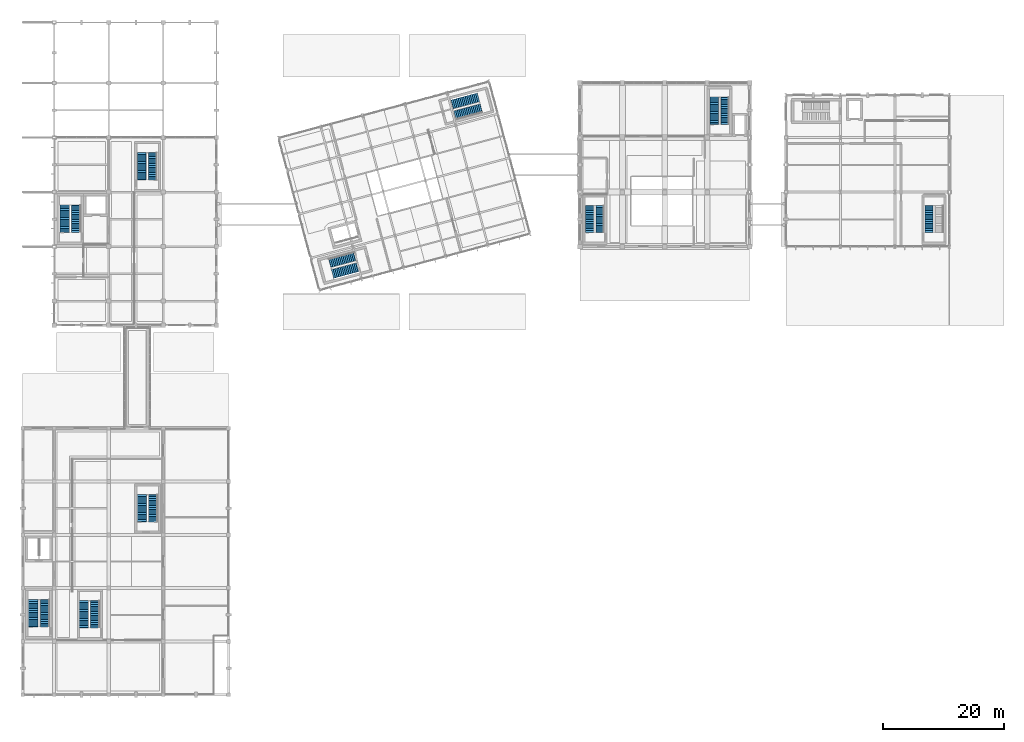
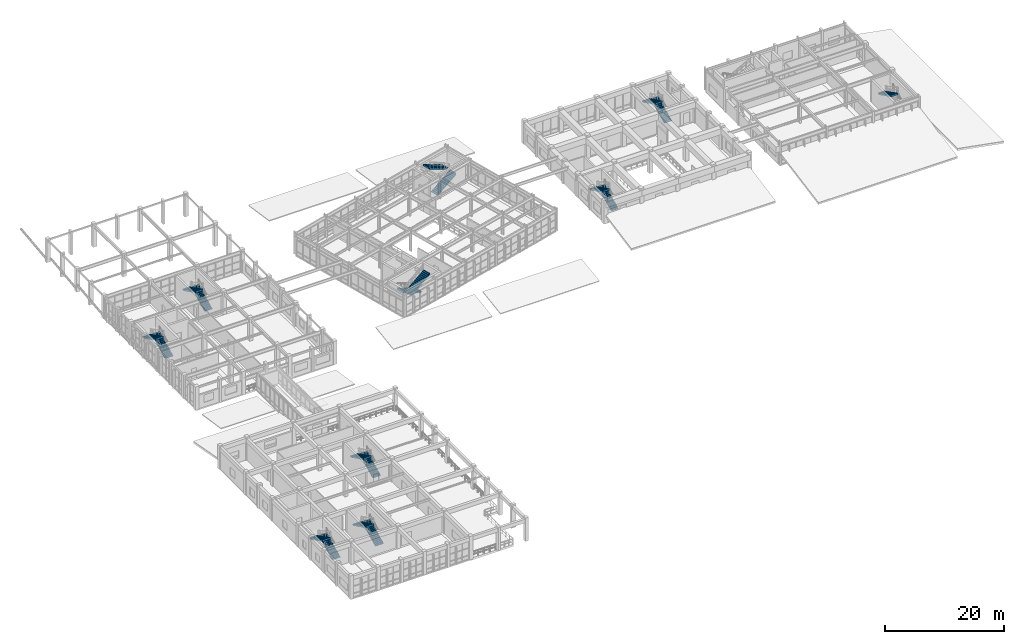
# One storey, part 87 of 104: 19 stair flights, 10 elements without a shape of their own.
"""IFC4 building model written with IfcOpenShell, lengths in metres."""

from ifc_helpers import new_model, si_unit, direction, frame, origin, place, context, subcontext, project, spatial, polyline, outline, extrude, material, type_object, element, aggregate, save


model = new_model("IFC4")

# Units and contexts
model_context = context("Model", 3, precision=1e-05, world=origin(), true_north=direction((0.0, 1.0)))
body_context = subcontext(model_context, "Body", "Model", "MODEL_VIEW")
ifc_project = project(units=[si_unit("LENGTHUNIT", "METRE"), si_unit("AREAUNIT", "SQUARE_METRE"), si_unit("VOLUMEUNIT", "CUBIC_METRE"), si_unit("PLANEANGLEUNIT", "RADIAN"), si_unit("MASSUNIT", "GRAM", prefix="KILO")], contexts=[model_context])

# Site, building, storey
site_placement = place(None, origin())
site = spatial("IfcSite", under=ifc_project, at=site_placement, CompositionType="ELEMENT")
building_placement = place(site_placement, origin())
building = spatial("IfcBuilding", under=site, at=building_placement, Name="Ventoquebrada Cableway Terminal", CompositionType="ELEMENT")
storey_placement = place(building_placement, frame((0.0, 0.0, 4.800048828125)))
storey = spatial("IfcBuildingStorey", under=building, at=storey_placement, Name="L01", CompositionType="ELEMENT", Elevation=4.800048828125)

# Stair, stair flights
ifc_material = material(Name="Concrete C40/50", Category="concrete")
stair_type_1 = type_object("IfcStairType", Name="ST-T03", PredefinedType="HALF_TURN_STAIR", material=ifc_material)
stair_1_placement = place(storey_placement, origin())
stair_1 = element("IfcStair", 1, at=stair_1_placement, inside=storey, type_object=stair_type_1, Name="Protected half-turn stair ST-05", PredefinedType="HALF_TURN_STAIR")
stair_flight_type_1 = type_object("IfcStairFlightType", Name="SF-T03", PredefinedType="STRAIGHT", material=ifc_material)
stair_flight_1_placement = place(storey_placement, frame((6.675048828125, 14.199951171875, 0.0), z_axis=(0.0, 0.0, 1.0), x_axis=(0.0, 1.0, 0.0)))
stair_flight_1 = element("IfcStairFlight", 2, at=stair_flight_1_placement, type_object=stair_flight_type_1, Name="Lower stair flight SF-009", NumberOfRisers=16, NumberOfTreads=15, PredefinedType="STRAIGHT", RiserHeight=0.15, TreadLength=0.3, context=body_context, shape_type="SweptSolid", body=[
    extrude(outline(polyline([(0.0, 0.0), (0.0, 0.14990234375), (0.296630859375, 0.14990234375), (0.296630859375, 0.300048828125), (0.59326171875, 0.300048828125), (0.59326171875, 0.449951171875), (0.889892578125, 0.449951171875), (0.889892578125, 0.60009765625), (1.186767578125, 0.60009765625), (1.186767578125, 0.75), (1.4833984375, 0.75), (1.4833984375, 0.89990234375), (1.780029296875, 0.89990234375), (1.780029296875, 1.050048828125), (2.07666015625, 1.050048828125), (2.07666015625, 1.199951171875), (2.373291015625, 1.199951171875), (2.373291015625, 1.35009765625), (2.669921875, 1.35009765625), (2.669921875, 1.5), (2.966552734375, 1.5), (2.966552734375, 1.64990234375), (3.263427734375, 1.64990234375), (3.263427734375, 1.800048828125), (3.56005859375, 1.800048828125), (3.56005859375, 1.949951171875), (3.856689453125, 1.949951171875), (3.856689453125, 2.10009765625), (4.1533203125, 2.10009765625), (4.1533203125, 2.25), (4.449951171875, 2.25), (4.449951171875, 2.39990234375), (4.5, 2.39990234375), (4.5, 2.0263671875), (0.447021484375, 0.0), (0.0, 0.0)])), frame((0.0, 0.77490234375, 0.0), z_axis=(0.0, -1.0, 0.0), x_axis=(1.0, 0.0, 0.0)), (0.0, 0.0, 1.0), 1.550048828125),
])
stair_flight_2_placement = place(storey_placement, frame((4.764892578125, 18.699951171875, 2.39990234375), z_axis=(0.0, 0.0, 1.0), x_axis=(0.0, -1.0, 0.0)))
stair_flight_2 = element("IfcStairFlight", 3, at=stair_flight_2_placement, type_object=stair_flight_type_1, Name="Upper stair flight SF-010", NumberOfRisers=16, NumberOfTreads=15, PredefinedType="STRAIGHT", RiserHeight=0.15, TreadLength=0.3, context=body_context, shape_type="SweptSolid", body=[
    extrude(outline(polyline([(0.0, 0.0), (0.0, 0.14990234375), (0.296630859375, 0.14990234375), (0.296630859375, 0.300048828125), (0.59326171875, 0.300048828125), (0.59326171875, 0.449951171875), (0.889892578125, 0.449951171875), (0.889892578125, 0.60009765625), (1.186767578125, 0.60009765625), (1.186767578125, 0.75), (1.4833984375, 0.75), (1.4833984375, 0.89990234375), (1.780029296875, 0.89990234375), (1.780029296875, 1.050048828125), (2.07666015625, 1.050048828125), (2.07666015625, 1.199951171875), (2.373291015625, 1.199951171875), (2.373291015625, 1.35009765625), (2.669921875, 1.35009765625), (2.669921875, 1.5), (2.966552734375, 1.5), (2.966552734375, 1.64990234375), (3.263427734375, 1.64990234375), (3.263427734375, 1.800048828125), (3.56005859375, 1.800048828125), (3.56005859375, 1.949951171875), (3.856689453125, 1.949951171875), (3.856689453125, 2.10009765625), (4.1533203125, 2.10009765625), (4.1533203125, 2.25), (4.449951171875, 2.25), (4.449951171875, 2.39990234375), (4.5, 2.39990234375), (4.5, 2.0263671875), (0.447021484375, 0.0), (0.0, 0.0)])), frame((0.0, 0.77490234375, 0.0), z_axis=(0.0, -1.0, 0.0), x_axis=(1.0, 0.0, 0.0)), (0.0, 0.0, 1.0), 1.550048828125),
])
aggregate(stair_1, [stair_flight_1, stair_flight_2])

stair_2_placement = place(storey_placement, origin())
stair_2 = element("IfcStair", 4, at=stair_2_placement, inside=storey, type_object=stair_type_1, Name="Protected half-turn stair ST-10", PredefinedType="HALF_TURN_STAIR")
stair_flight_3_placement = place(storey_placement, frame((14.97509765625, 14.050048828125, 0.0), z_axis=(0.0, 0.0, 1.0), x_axis=(0.0, 1.0, 0.0)))
stair_flight_3 = element("IfcStairFlight", 5, at=stair_flight_3_placement, type_object=stair_flight_type_1, Name="Lower stair flight SF-019", NumberOfRisers=16, NumberOfTreads=15, PredefinedType="STRAIGHT", RiserHeight=0.15, TreadLength=0.3, context=body_context, shape_type="SweptSolid", body=[
    extrude(outline(polyline([(0.0, 0.0), (0.0, 0.14990234375), (0.296630859375, 0.14990234375), (0.296630859375, 0.300048828125), (0.59326171875, 0.300048828125), (0.59326171875, 0.449951171875), (0.889892578125, 0.449951171875), (0.889892578125, 0.60009765625), (1.186767578125, 0.60009765625), (1.186767578125, 0.75), (1.4833984375, 0.75), (1.4833984375, 0.89990234375), (1.780029296875, 0.89990234375), (1.780029296875, 1.050048828125), (2.07666015625, 1.050048828125), (2.07666015625, 1.199951171875), (2.373291015625, 1.199951171875), (2.373291015625, 1.35009765625), (2.669921875, 1.35009765625), (2.669921875, 1.5), (2.966552734375, 1.5), (2.966552734375, 1.64990234375), (3.263427734375, 1.64990234375), (3.263427734375, 1.800048828125), (3.56005859375, 1.800048828125), (3.56005859375, 1.949951171875), (3.856689453125, 1.949951171875), (3.856689453125, 2.10009765625), (4.1533203125, 2.10009765625), (4.1533203125, 2.25), (4.449951171875, 2.25), (4.449951171875, 2.39990234375), (4.5, 2.39990234375), (4.5, 2.0263671875), (0.447021484375, 0.0), (0.0, 0.0)])), frame((0.0, 0.77490234375, 0.0), z_axis=(0.0, -1.0, 0.0), x_axis=(1.0, 0.0, 0.0)), (0.0, 0.0, 1.0), 1.550048828125),
])
stair_flight_4_placement = place(storey_placement, frame((13.06494140625, 18.550048828125, 2.39990234375), z_axis=(0.0, 0.0, 1.0), x_axis=(0.0, -1.0, 0.0)))
stair_flight_4 = element("IfcStairFlight", 6, at=stair_flight_4_placement, type_object=stair_flight_type_1, Name="Upper stair flight SF-020", NumberOfRisers=16, NumberOfTreads=15, PredefinedType="STRAIGHT", RiserHeight=0.15, TreadLength=0.3, context=body_context, shape_type="SweptSolid", body=[
    extrude(outline(polyline([(0.0, 0.0), (0.0, 0.14990234375), (0.296630859375, 0.14990234375), (0.296630859375, 0.300048828125), (0.59326171875, 0.300048828125), (0.59326171875, 0.449951171875), (0.889892578125, 0.449951171875), (0.889892578125, 0.60009765625), (1.186767578125, 0.60009765625), (1.186767578125, 0.75), (1.4833984375, 0.75), (1.4833984375, 0.89990234375), (1.780029296875, 0.89990234375), (1.780029296875, 1.050048828125), (2.07666015625, 1.050048828125), (2.07666015625, 1.199951171875), (2.373291015625, 1.199951171875), (2.373291015625, 1.35009765625), (2.669921875, 1.35009765625), (2.669921875, 1.5), (2.966552734375, 1.5), (2.966552734375, 1.64990234375), (3.263427734375, 1.64990234375), (3.263427734375, 1.800048828125), (3.56005859375, 1.800048828125), (3.56005859375, 1.949951171875), (3.856689453125, 1.949951171875), (3.856689453125, 2.10009765625), (4.1533203125, 2.10009765625), (4.1533203125, 2.25), (4.449951171875, 2.25), (4.449951171875, 2.39990234375), (4.5, 2.39990234375), (4.5, 2.0263671875), (0.447021484375, 0.0), (0.0, 0.0)])), frame((0.0, 0.77490234375, 0.0), z_axis=(0.0, -1.0, 0.0), x_axis=(1.0, 0.0, 0.0)), (0.0, 0.0, 1.0), 1.550048828125),
])
aggregate(stair_2, [stair_flight_3, stair_flight_4])

stair_3_placement = place(storey_placement, origin())
stair_3 = element("IfcStair", 7, at=stair_3_placement, inside=storey, type_object=stair_type_1, Name="Protected half-turn stair ST-13", PredefinedType="HALF_TURN_STAIR")
stair_flight_5_placement = place(storey_placement, frame((11.824951171875, 79.35009765625, 0.0), z_axis=(0.0, 0.0, 1.0), x_axis=(0.0, 1.0, 0.0)))
stair_flight_5 = element("IfcStairFlight", 8, at=stair_flight_5_placement, type_object=stair_flight_type_1, Name="Lower stair flight SF-025", NumberOfRisers=16, NumberOfTreads=15, PredefinedType="STRAIGHT", RiserHeight=0.15, TreadLength=0.3, context=body_context, shape_type="SweptSolid", body=[
    extrude(outline(polyline([(0.0, 0.0), (0.0, 0.14990234375), (0.296630859375, 0.14990234375), (0.296630859375, 0.300048828125), (0.59326171875, 0.300048828125), (0.59326171875, 0.449951171875), (0.889892578125, 0.449951171875), (0.889892578125, 0.60009765625), (1.186767578125, 0.60009765625), (1.186767578125, 0.75), (1.4833984375, 0.75), (1.4833984375, 0.89990234375), (1.780029296875, 0.89990234375), (1.780029296875, 1.050048828125), (2.07666015625, 1.050048828125), (2.07666015625, 1.199951171875), (2.373291015625, 1.199951171875), (2.373291015625, 1.35009765625), (2.669921875, 1.35009765625), (2.669921875, 1.5), (2.966552734375, 1.5), (2.966552734375, 1.64990234375), (3.263427734375, 1.64990234375), (3.263427734375, 1.800048828125), (3.56005859375, 1.800048828125), (3.56005859375, 1.949951171875), (3.856689453125, 1.949951171875), (3.856689453125, 2.10009765625), (4.1533203125, 2.10009765625), (4.1533203125, 2.25), (4.449951171875, 2.25), (4.449951171875, 2.39990234375), (4.5, 2.39990234375), (4.5, 2.0263671875), (0.447021484375, 0.0), (0.0, 0.0)])), frame((0.0, 0.77490234375, 0.0), z_axis=(0.0, -1.0, 0.0), x_axis=(1.0, 0.0, 0.0)), (0.0, 0.0, 1.0), 1.550048828125),
])
stair_flight_6_placement = place(storey_placement, frame((9.9150390625, 83.85009765625, 2.39990234375), z_axis=(0.0, 0.0, 1.0), x_axis=(0.0, -1.0, 0.0)))
stair_flight_6 = element("IfcStairFlight", 9, at=stair_flight_6_placement, type_object=stair_flight_type_1, Name="Upper stair flight SF-026", NumberOfRisers=16, NumberOfTreads=15, PredefinedType="STRAIGHT", RiserHeight=0.15, TreadLength=0.3, context=body_context, shape_type="SweptSolid", body=[
    extrude(outline(polyline([(0.0, 0.0), (0.0, 0.14990234375), (0.296630859375, 0.14990234375), (0.296630859375, 0.300048828125), (0.59326171875, 0.300048828125), (0.59326171875, 0.449951171875), (0.889892578125, 0.449951171875), (0.889892578125, 0.60009765625), (1.186767578125, 0.60009765625), (1.186767578125, 0.75), (1.4833984375, 0.75), (1.4833984375, 0.89990234375), (1.780029296875, 0.89990234375), (1.780029296875, 1.050048828125), (2.07666015625, 1.050048828125), (2.07666015625, 1.199951171875), (2.373291015625, 1.199951171875), (2.373291015625, 1.35009765625), (2.669921875, 1.35009765625), (2.669921875, 1.5), (2.966552734375, 1.5), (2.966552734375, 1.64990234375), (3.263427734375, 1.64990234375), (3.263427734375, 1.800048828125), (3.56005859375, 1.800048828125), (3.56005859375, 1.949951171875), (3.856689453125, 1.949951171875), (3.856689453125, 2.10009765625), (4.1533203125, 2.10009765625), (4.1533203125, 2.25), (4.449951171875, 2.25), (4.449951171875, 2.39990234375), (4.5, 2.39990234375), (4.5, 2.0263671875), (0.447021484375, 0.0), (0.0, 0.0)])), frame((0.0, 0.77490234375, 0.0), z_axis=(0.0, -1.0, 0.0), x_axis=(1.0, 0.0, 0.0)), (0.0, 0.0, 1.0), 1.550048828125),
])
aggregate(stair_3, [stair_flight_5, stair_flight_6])

stair_type_2 = type_object("IfcStairType", Name="ST-T04", PredefinedType="HALF_TURN_STAIR", material=ifc_material)
stair_4_placement = place(storey_placement, origin())
stair_4 = element("IfcStair", 10, at=stair_4_placement, inside=storey, type_object=stair_type_2, Name="Protected half-turn stair ST-06", PredefinedType="HALF_TURN_STAIR")
stair_flight_type_2 = type_object("IfcStairFlightType", Name="SF-T04", PredefinedType="STRAIGHT", material=ifc_material)
stair_flight_7_placement = place(storey_placement, frame((24.550048828125, 31.550048828125, 0.0), z_axis=(0.0, 0.0, 1.0), x_axis=(0.0, 1.0, 0.0)))
stair_flight_7 = element("IfcStairFlight", 11, at=stair_flight_7_placement, type_object=stair_flight_type_2, Name="Lower stair flight SF-011", NumberOfRisers=16, NumberOfTreads=15, PredefinedType="STRAIGHT", RiserHeight=0.15, TreadLength=0.3, context=body_context, shape_type="SweptSolid", body=[
    extrude(outline(polyline([(0.0, 0.0), (0.0, 0.14990234375), (0.296630859375, 0.14990234375), (0.296630859375, 0.300048828125), (0.59326171875, 0.300048828125), (0.59326171875, 0.449951171875), (0.889892578125, 0.449951171875), (0.889892578125, 0.60009765625), (1.186767578125, 0.60009765625), (1.186767578125, 0.75), (1.4833984375, 0.75), (1.4833984375, 0.89990234375), (1.780029296875, 0.89990234375), (1.780029296875, 1.050048828125), (2.07666015625, 1.050048828125), (2.07666015625, 1.199951171875), (2.373291015625, 1.199951171875), (2.373291015625, 1.35009765625), (2.669921875, 1.35009765625), (2.669921875, 1.5), (2.966552734375, 1.5), (2.966552734375, 1.64990234375), (3.263427734375, 1.64990234375), (3.263427734375, 1.800048828125), (3.56005859375, 1.800048828125), (3.56005859375, 1.949951171875), (3.856689453125, 1.949951171875), (3.856689453125, 2.10009765625), (4.1533203125, 2.10009765625), (4.1533203125, 2.25), (4.449951171875, 2.25), (4.449951171875, 2.39990234375), (4.5, 2.39990234375), (4.5, 2.0263671875), (0.447021484375, 0.0), (0.0, 0.0)])), frame((0.0, 0.75, 0.0), z_axis=(0.0, -1.0, 0.0), x_axis=(1.0, 0.0, 0.0)), (0.0, 0.0, 1.0), 1.5),
])
stair_flight_8_placement = place(storey_placement, frame((22.68994140625, 36.050048828125, 2.39990234375), z_axis=(0.0, 0.0, 1.0), x_axis=(0.0, -1.0, 0.0)))
stair_flight_8 = element("IfcStairFlight", 12, at=stair_flight_8_placement, type_object=stair_flight_type_2, Name="Upper stair flight SF-012", NumberOfRisers=16, NumberOfTreads=15, PredefinedType="STRAIGHT", RiserHeight=0.15, TreadLength=0.3, context=body_context, shape_type="SweptSolid", body=[
    extrude(outline(polyline([(0.0, 0.0), (0.0, 0.14990234375), (0.296630859375, 0.14990234375), (0.296630859375, 0.300048828125), (0.59326171875, 0.300048828125), (0.59326171875, 0.449951171875), (0.889892578125, 0.449951171875), (0.889892578125, 0.60009765625), (1.186767578125, 0.60009765625), (1.186767578125, 0.75), (1.4833984375, 0.75), (1.4833984375, 0.89990234375), (1.780029296875, 0.89990234375), (1.780029296875, 1.050048828125), (2.07666015625, 1.050048828125), (2.07666015625, 1.199951171875), (2.373291015625, 1.199951171875), (2.373291015625, 1.35009765625), (2.669921875, 1.35009765625), (2.669921875, 1.5), (2.966552734375, 1.5), (2.966552734375, 1.64990234375), (3.263427734375, 1.64990234375), (3.263427734375, 1.800048828125), (3.56005859375, 1.800048828125), (3.56005859375, 1.949951171875), (3.856689453125, 1.949951171875), (3.856689453125, 2.10009765625), (4.1533203125, 2.10009765625), (4.1533203125, 2.25), (4.449951171875, 2.25), (4.449951171875, 2.39990234375), (4.5, 2.39990234375), (4.5, 2.0263671875), (0.447021484375, 0.0), (0.0, 0.0)])), frame((0.0, 0.75, 0.0), z_axis=(0.0, -1.0, 0.0), x_axis=(1.0, 0.0, 0.0)), (0.0, 0.0, 1.0), 1.5),
])
aggregate(stair_4, [stair_flight_7, stair_flight_8])

stair_5_placement = place(storey_placement, origin())
stair_5 = element("IfcStair", 13, at=stair_5_placement, inside=storey, type_object=stair_type_2, Name="Protected half-turn stair ST-28", PredefinedType="HALF_TURN_STAIR")
stair_flight_9_placement = place(storey_placement, frame((58.02001953125, 75.44091796875, 0.0), z_axis=(0.0, 0.0, 1.0), x_axis=(-0.965925826289, -0.258819045103, 0.0)))
stair_flight_9 = element("IfcStairFlight", 14, at=stair_flight_9_placement, type_object=stair_flight_type_2, Name="Lower stair flight SF-055", NumberOfRisers=16, NumberOfTreads=15, PredefinedType="STRAIGHT", RiserHeight=0.15, TreadLength=0.3, context=body_context, shape_type="SweptSolid", body=[
    extrude(outline(polyline([(0.0, 0.0), (0.0, 0.14990234375), (0.296630859375, 0.14990234375), (0.296630859375, 0.300048828125), (0.59326171875, 0.300048828125), (0.59326171875, 0.449951171875), (0.889892578125, 0.449951171875), (0.889892578125, 0.60009765625), (1.186767578125, 0.60009765625), (1.186767578125, 0.75), (1.4833984375, 0.75), (1.4833984375, 0.89990234375), (1.780029296875, 0.89990234375), (1.780029296875, 1.050048828125), (2.07666015625, 1.050048828125), (2.07666015625, 1.199951171875), (2.373291015625, 1.199951171875), (2.373291015625, 1.35009765625), (2.669921875, 1.35009765625), (2.669921875, 1.5), (2.966552734375, 1.5), (2.966552734375, 1.64990234375), (3.263427734375, 1.64990234375), (3.263427734375, 1.800048828125), (3.56005859375, 1.800048828125), (3.56005859375, 1.949951171875), (3.856689453125, 1.949951171875), (3.856689453125, 2.10009765625), (4.1533203125, 2.10009765625), (4.1533203125, 2.25), (4.449951171875, 2.25), (4.449951171875, 2.39990234375), (4.5, 2.39990234375), (4.5, 2.0263671875), (0.447021484375, 0.0), (0.0, 0.0)])), frame((0.0, 0.75, 0.0), z_axis=(0.0, -1.0, 0.0), x_axis=(1.0, 0.0, 0.0)), (0.0, 0.0, 1.0), 1.5),
])
stair_flight_10_placement = place(storey_placement, frame((54.155029296875, 72.47900390625, 2.39990234375), z_axis=(0.0, 0.0, 1.0), x_axis=(0.965925826289, 0.258819045103, 0.0)))
stair_flight_10 = element("IfcStairFlight", 15, at=stair_flight_10_placement, type_object=stair_flight_type_2, Name="Upper stair flight SF-056", NumberOfRisers=16, NumberOfTreads=15, PredefinedType="STRAIGHT", RiserHeight=0.15, TreadLength=0.3, context=body_context, shape_type="SweptSolid", body=[
    extrude(outline(polyline([(0.0, 0.0), (0.0, 0.14990234375), (0.296630859375, 0.14990234375), (0.296630859375, 0.300048828125), (0.59326171875, 0.300048828125), (0.59326171875, 0.449951171875), (0.889892578125, 0.449951171875), (0.889892578125, 0.60009765625), (1.186767578125, 0.60009765625), (1.186767578125, 0.75), (1.4833984375, 0.75), (1.4833984375, 0.89990234375), (1.780029296875, 0.89990234375), (1.780029296875, 1.050048828125), (2.07666015625, 1.050048828125), (2.07666015625, 1.199951171875), (2.373291015625, 1.199951171875), (2.373291015625, 1.35009765625), (2.669921875, 1.35009765625), (2.669921875, 1.5), (2.966552734375, 1.5), (2.966552734375, 1.64990234375), (3.263427734375, 1.64990234375), (3.263427734375, 1.800048828125), (3.56005859375, 1.800048828125), (3.56005859375, 1.949951171875), (3.856689453125, 1.949951171875), (3.856689453125, 2.10009765625), (4.1533203125, 2.10009765625), (4.1533203125, 2.25), (4.449951171875, 2.25), (4.449951171875, 2.39990234375), (4.5, 2.39990234375), (4.5, 2.0263671875), (0.447021484375, 0.0), (0.0, 0.0)])), frame((0.0, 0.75, 0.0), z_axis=(0.0, -1.0, 0.0), x_axis=(1.0, 0.0, 0.0)), (0.0, 0.0, 1.0), 1.5),
])
aggregate(stair_5, [stair_flight_9, stair_flight_10])

stair_6_placement = place(storey_placement, origin())
stair_6 = element("IfcStair", 16, at=stair_6_placement, inside=storey, type_object=stair_type_2, Name="Protected half-turn stair ST-34", PredefinedType="HALF_TURN_STAIR")
stair_flight_11_placement = place(storey_placement, frame((74.366943359375, 98.662109375, 0.0), z_axis=(0.0, 0.0, 1.0), x_axis=(0.965925826289, 0.258819045103, 0.0)))
stair_flight_11 = element("IfcStairFlight", 17, at=stair_flight_11_placement, type_object=stair_flight_type_2, Name="Lower stair flight SF-067", NumberOfRisers=16, NumberOfTreads=15, PredefinedType="STRAIGHT", RiserHeight=0.15, TreadLength=0.3, context=body_context, shape_type="SweptSolid", body=[
    extrude(outline(polyline([(0.0, 0.0), (0.0, 0.14990234375), (0.296630859375, 0.14990234375), (0.296630859375, 0.300048828125), (0.59326171875, 0.300048828125), (0.59326171875, 0.449951171875), (0.889892578125, 0.449951171875), (0.889892578125, 0.60009765625), (1.186767578125, 0.60009765625), (1.186767578125, 0.75), (1.4833984375, 0.75), (1.4833984375, 0.89990234375), (1.780029296875, 0.89990234375), (1.780029296875, 1.050048828125), (2.07666015625, 1.050048828125), (2.07666015625, 1.199951171875), (2.373291015625, 1.199951171875), (2.373291015625, 1.35009765625), (2.669921875, 1.35009765625), (2.669921875, 1.5), (2.966552734375, 1.5), (2.966552734375, 1.64990234375), (3.263427734375, 1.64990234375), (3.263427734375, 1.800048828125), (3.56005859375, 1.800048828125), (3.56005859375, 1.949951171875), (3.856689453125, 1.949951171875), (3.856689453125, 2.10009765625), (4.1533203125, 2.10009765625), (4.1533203125, 2.25), (4.449951171875, 2.25), (4.449951171875, 2.39990234375), (4.5, 2.39990234375), (4.5, 2.0263671875), (0.447021484375, 0.0), (0.0, 0.0)])), frame((0.0, 0.75, 0.0), z_axis=(0.0, -1.0, 0.0), x_axis=(1.0, 0.0, 0.0)), (0.0, 0.0, 1.0), 1.5),
])
stair_flight_12_placement = place(storey_placement, frame((78.23193359375, 101.6240234375, 2.39990234375), z_axis=(0.0, 0.0, 1.0), x_axis=(-0.965925826289, -0.258819045103, 0.0)))
stair_flight_12 = element("IfcStairFlight", 18, at=stair_flight_12_placement, type_object=stair_flight_type_2, Name="Upper stair flight SF-068", NumberOfRisers=16, NumberOfTreads=15, PredefinedType="STRAIGHT", RiserHeight=0.15, TreadLength=0.3, context=body_context, shape_type="SweptSolid", body=[
    extrude(outline(polyline([(0.0, 0.0), (0.0, 0.14990234375), (0.296630859375, 0.14990234375), (0.296630859375, 0.300048828125), (0.59326171875, 0.300048828125), (0.59326171875, 0.449951171875), (0.889892578125, 0.449951171875), (0.889892578125, 0.60009765625), (1.186767578125, 0.60009765625), (1.186767578125, 0.75), (1.4833984375, 0.75), (1.4833984375, 0.89990234375), (1.780029296875, 0.89990234375), (1.780029296875, 1.050048828125), (2.07666015625, 1.050048828125), (2.07666015625, 1.199951171875), (2.373291015625, 1.199951171875), (2.373291015625, 1.35009765625), (2.669921875, 1.35009765625), (2.669921875, 1.5), (2.966552734375, 1.5), (2.966552734375, 1.64990234375), (3.263427734375, 1.64990234375), (3.263427734375, 1.800048828125), (3.56005859375, 1.800048828125), (3.56005859375, 1.949951171875), (3.856689453125, 1.949951171875), (3.856689453125, 2.10009765625), (4.1533203125, 2.10009765625), (4.1533203125, 2.25), (4.449951171875, 2.25), (4.449951171875, 2.39990234375), (4.5, 2.39990234375), (4.5, 2.0263671875), (0.447021484375, 0.0), (0.0, 0.0)])), frame((0.0, 0.75, 0.0), z_axis=(0.0, -1.0, 0.0), x_axis=(1.0, 0.0, 0.0)), (0.0, 0.0, 1.0), 1.5),
])
aggregate(stair_6, [stair_flight_11, stair_flight_12])

stair_type_3 = type_object("IfcStairType", Name="ST-T05", PredefinedType="HALF_TURN_STAIR", material=ifc_material)
stair_7_placement = place(storey_placement, origin())
stair_7 = element("IfcStair", 19, at=stair_7_placement, inside=storey, type_object=stair_type_3, Name="Protected half-turn stair ST-14", PredefinedType="HALF_TURN_STAIR")
stair_flight_type_3 = type_object("IfcStairFlightType", Name="SF-T05", PredefinedType="STRAIGHT", material=ifc_material)
stair_flight_13_placement = place(storey_placement, frame((24.47509765625, 88.0, 0.0), z_axis=(0.0, 0.0, 1.0), x_axis=(0.0, 1.0, 0.0)))
stair_flight_13 = element("IfcStairFlight", 20, at=stair_flight_13_placement, type_object=stair_flight_type_3, Name="Lower stair flight SF-027", NumberOfRisers=16, NumberOfTreads=15, PredefinedType="STRAIGHT", RiserHeight=0.15, TreadLength=0.3, context=body_context, shape_type="SweptSolid", body=[
    extrude(outline(polyline([(0.0, 0.0), (0.0, 0.14990234375), (0.296630859375, 0.14990234375), (0.296630859375, 0.300048828125), (0.59326171875, 0.300048828125), (0.59326171875, 0.449951171875), (0.889892578125, 0.449951171875), (0.889892578125, 0.60009765625), (1.186767578125, 0.60009765625), (1.186767578125, 0.75), (1.4833984375, 0.75), (1.4833984375, 0.89990234375), (1.780029296875, 0.89990234375), (1.780029296875, 1.050048828125), (2.07666015625, 1.050048828125), (2.07666015625, 1.199951171875), (2.373291015625, 1.199951171875), (2.373291015625, 1.35009765625), (2.669921875, 1.35009765625), (2.669921875, 1.5), (2.966552734375, 1.5), (2.966552734375, 1.64990234375), (3.263427734375, 1.64990234375), (3.263427734375, 1.800048828125), (3.56005859375, 1.800048828125), (3.56005859375, 1.949951171875), (3.856689453125, 1.949951171875), (3.856689453125, 2.10009765625), (4.1533203125, 2.10009765625), (4.1533203125, 2.25), (4.449951171875, 2.25), (4.449951171875, 2.39990234375), (4.5, 2.39990234375), (4.5, 2.0263671875), (0.447021484375, 0.0), (0.0, 0.0)])), frame((0.0, 0.72509765625, 0.0), z_axis=(0.0, -1.0, 0.0), x_axis=(1.0, 0.0, 0.0)), (0.0, 0.0, 1.0), 1.449951171875),
])
stair_flight_14_placement = place(storey_placement, frame((22.6650390625, 92.5, 2.39990234375), z_axis=(0.0, 0.0, 1.0), x_axis=(0.0, -1.0, 0.0)))
stair_flight_14 = element("IfcStairFlight", 21, at=stair_flight_14_placement, type_object=stair_flight_type_3, Name="Upper stair flight SF-028", NumberOfRisers=16, NumberOfTreads=15, PredefinedType="STRAIGHT", RiserHeight=0.15, TreadLength=0.3, context=body_context, shape_type="SweptSolid", body=[
    extrude(outline(polyline([(0.0, 0.0), (0.0, 0.14990234375), (0.296630859375, 0.14990234375), (0.296630859375, 0.300048828125), (0.59326171875, 0.300048828125), (0.59326171875, 0.449951171875), (0.889892578125, 0.449951171875), (0.889892578125, 0.60009765625), (1.186767578125, 0.60009765625), (1.186767578125, 0.75), (1.4833984375, 0.75), (1.4833984375, 0.89990234375), (1.780029296875, 0.89990234375), (1.780029296875, 1.050048828125), (2.07666015625, 1.050048828125), (2.07666015625, 1.199951171875), (2.373291015625, 1.199951171875), (2.373291015625, 1.35009765625), (2.669921875, 1.35009765625), (2.669921875, 1.5), (2.966552734375, 1.5), (2.966552734375, 1.64990234375), (3.263427734375, 1.64990234375), (3.263427734375, 1.800048828125), (3.56005859375, 1.800048828125), (3.56005859375, 1.949951171875), (3.856689453125, 1.949951171875), (3.856689453125, 2.10009765625), (4.1533203125, 2.10009765625), (4.1533203125, 2.25), (4.449951171875, 2.25), (4.449951171875, 2.39990234375), (4.5, 2.39990234375), (4.5, 2.0263671875), (0.447021484375, 0.0), (0.0, 0.0)])), frame((0.0, 0.72509765625, 0.0), z_axis=(0.0, -1.0, 0.0), x_axis=(1.0, 0.0, 0.0)), (0.0, 0.0, 1.0), 1.449951171875),
])
aggregate(stair_7, [stair_flight_13, stair_flight_14])

stair_type_4 = type_object("IfcStairType", Name="ST-T09", PredefinedType="HALF_TURN_STAIR", material=ifc_material)
stair_8_placement = place(storey_placement, origin())
stair_8 = element("IfcStair", 22, at=stair_8_placement, inside=storey, type_object=stair_type_4, Name="Protected half-turn stair ST-29", PredefinedType="HALF_TURN_STAIR")
stair_flight_type_4 = type_object("IfcStairFlightType", Name="SF-T09", PredefinedType="STRAIGHT", material=ifc_material)
stair_flight_15_placement = place(storey_placement, frame((118.949951171875, 97.14990234375, 0.0), z_axis=(0.0, 0.0, 1.0), x_axis=(0.0, 1.0, 0.0)))
stair_flight_15 = element("IfcStairFlight", 23, at=stair_flight_15_placement, type_object=stair_flight_type_4, Name="Lower stair flight SF-057", NumberOfRisers=16, NumberOfTreads=15, PredefinedType="STRAIGHT", RiserHeight=0.15, TreadLength=0.3, context=body_context, shape_type="SweptSolid", body=[
    extrude(outline(polyline([(0.0, 0.0), (0.0, 0.14990234375), (0.296630859375, 0.14990234375), (0.296630859375, 0.300048828125), (0.59326171875, 0.300048828125), (0.59326171875, 0.449951171875), (0.889892578125, 0.449951171875), (0.889892578125, 0.60009765625), (1.186767578125, 0.60009765625), (1.186767578125, 0.75), (1.4833984375, 0.75), (1.4833984375, 0.89990234375), (1.780029296875, 0.89990234375), (1.780029296875, 1.050048828125), (2.07666015625, 1.050048828125), (2.07666015625, 1.199951171875), (2.373291015625, 1.199951171875), (2.373291015625, 1.35009765625), (2.669921875, 1.35009765625), (2.669921875, 1.5), (2.966552734375, 1.5), (2.966552734375, 1.64990234375), (3.263427734375, 1.64990234375), (3.263427734375, 1.800048828125), (3.56005859375, 1.800048828125), (3.56005859375, 1.949951171875), (3.856689453125, 1.949951171875), (3.856689453125, 2.10009765625), (4.1533203125, 2.10009765625), (4.1533203125, 2.25), (4.449951171875, 2.25), (4.449951171875, 2.39990234375), (4.5, 2.39990234375), (4.5, 2.0263671875), (0.447021484375, 0.0), (0.0, 0.0)])), frame((0.0, 0.699951171875, 0.0), z_axis=(0.0, -1.0, 0.0), x_axis=(1.0, 0.0, 0.0)), (0.0, 0.0, 1.0), 1.39990234375),
])
stair_flight_16_placement = place(storey_placement, frame((117.18994140625, 101.64990234375, 2.39990234375), z_axis=(0.0, 0.0, 1.0), x_axis=(0.0, -1.0, 0.0)))
stair_flight_16 = element("IfcStairFlight", 24, at=stair_flight_16_placement, type_object=stair_flight_type_4, Name="Upper stair flight SF-058", NumberOfRisers=16, NumberOfTreads=15, PredefinedType="STRAIGHT", RiserHeight=0.15, TreadLength=0.3, context=body_context, shape_type="SweptSolid", body=[
    extrude(outline(polyline([(0.0, 0.0), (0.0, 0.14990234375), (0.296630859375, 0.14990234375), (0.296630859375, 0.300048828125), (0.59326171875, 0.300048828125), (0.59326171875, 0.449951171875), (0.889892578125, 0.449951171875), (0.889892578125, 0.60009765625), (1.186767578125, 0.60009765625), (1.186767578125, 0.75), (1.4833984375, 0.75), (1.4833984375, 0.89990234375), (1.780029296875, 0.89990234375), (1.780029296875, 1.050048828125), (2.07666015625, 1.050048828125), (2.07666015625, 1.199951171875), (2.373291015625, 1.199951171875), (2.373291015625, 1.35009765625), (2.669921875, 1.35009765625), (2.669921875, 1.5), (2.966552734375, 1.5), (2.966552734375, 1.64990234375), (3.263427734375, 1.64990234375), (3.263427734375, 1.800048828125), (3.56005859375, 1.800048828125), (3.56005859375, 1.949951171875), (3.856689453125, 1.949951171875), (3.856689453125, 2.10009765625), (4.1533203125, 2.10009765625), (4.1533203125, 2.25), (4.449951171875, 2.25), (4.449951171875, 2.39990234375), (4.5, 2.39990234375), (4.5, 2.0263671875), (0.447021484375, 0.0), (0.0, 0.0)])), frame((0.0, 0.699951171875, 0.0), z_axis=(0.0, -1.0, 0.0), x_axis=(1.0, 0.0, 0.0)), (0.0, 0.0, 1.0), 1.39990234375),
])
aggregate(stair_8, [stair_flight_15, stair_flight_16])

# Stair, stair flight
stair_type_5 = type_object("IfcStairType", Name="ST-T10", PredefinedType="HALF_TURN_STAIR", material=ifc_material)
stair_9_placement = place(storey_placement, origin())
stair_9 = element("IfcStair", 25, at=stair_9_placement, inside=storey, type_object=stair_type_5, Name="Protected half-turn stair ST-31", PredefinedType="HALF_TURN_STAIR")
stair_flight_type_5 = type_object("IfcStairFlightType", Name="SF-T10", PredefinedType="STRAIGHT", material=ifc_material)
stair_flight_17_placement = place(storey_placement, frame((152.614990234375, 83.800048828125, 2.39990234375), z_axis=(0.0, 0.0, 1.0), x_axis=(0.0, -1.0, 0.0)))
stair_flight_17 = element("IfcStairFlight", 26, at=stair_flight_17_placement, type_object=stair_flight_type_5, Name="Upper stair flight SF-062", NumberOfRisers=16, NumberOfTreads=15, PredefinedType="STRAIGHT", RiserHeight=0.15, TreadLength=0.3, context=body_context, shape_type="SweptSolid", body=[
    extrude(outline(polyline([(0.0, 0.0), (0.0, 0.14990234375), (0.296630859375, 0.14990234375), (0.296630859375, 0.300048828125), (0.59326171875, 0.300048828125), (0.59326171875, 0.449951171875), (0.889892578125, 0.449951171875), (0.889892578125, 0.60009765625), (1.186767578125, 0.60009765625), (1.186767578125, 0.75), (1.4833984375, 0.75), (1.4833984375, 0.89990234375), (1.780029296875, 0.89990234375), (1.780029296875, 1.050048828125), (2.07666015625, 1.050048828125), (2.07666015625, 1.199951171875), (2.373291015625, 1.199951171875), (2.373291015625, 1.35009765625), (2.669921875, 1.35009765625), (2.669921875, 1.5), (2.966552734375, 1.5), (2.966552734375, 1.64990234375), (3.263427734375, 1.64990234375), (3.263427734375, 1.800048828125), (3.56005859375, 1.800048828125), (3.56005859375, 1.949951171875), (3.856689453125, 1.949951171875), (3.856689453125, 2.10009765625), (4.1533203125, 2.10009765625), (4.1533203125, 2.25), (4.449951171875, 2.25), (4.449951171875, 2.39990234375), (4.5, 2.39990234375), (4.5, 2.0263671875), (0.447021484375, 0.0), (0.0, 0.0)])), frame((0.0, 0.675048828125, 0.0), z_axis=(0.0, -1.0, 0.0), x_axis=(1.0, 0.0, 0.0)), (0.0, 0.0, 1.0), 1.35009765625),
])
aggregate(stair_9, [stair_flight_17])

# Stair, stair flights
stair_10_placement = place(storey_placement, origin())
stair_10 = element("IfcStair", 27, at=stair_10_placement, inside=storey, type_object=stair_type_5, Name="Protected half-turn stair ST-35", PredefinedType="HALF_TURN_STAIR")
stair_flight_18_placement = place(storey_placement, frame((98.324951171875, 79.300048828125, 0.0), z_axis=(0.0, 0.0, 1.0), x_axis=(0.0, 1.0, 0.0)))
stair_flight_18 = element("IfcStairFlight", 28, at=stair_flight_18_placement, type_object=stair_flight_type_5, Name="Lower stair flight SF-069", NumberOfRisers=16, NumberOfTreads=15, PredefinedType="STRAIGHT", RiserHeight=0.15, TreadLength=0.3, context=body_context, shape_type="SweptSolid", body=[
    extrude(outline(polyline([(0.0, 0.0), (0.0, 0.14990234375), (0.296630859375, 0.14990234375), (0.296630859375, 0.300048828125), (0.59326171875, 0.300048828125), (0.59326171875, 0.449951171875), (0.889892578125, 0.449951171875), (0.889892578125, 0.60009765625), (1.186767578125, 0.60009765625), (1.186767578125, 0.75), (1.4833984375, 0.75), (1.4833984375, 0.89990234375), (1.780029296875, 0.89990234375), (1.780029296875, 1.050048828125), (2.07666015625, 1.050048828125), (2.07666015625, 1.199951171875), (2.373291015625, 1.199951171875), (2.373291015625, 1.35009765625), (2.669921875, 1.35009765625), (2.669921875, 1.5), (2.966552734375, 1.5), (2.966552734375, 1.64990234375), (3.263427734375, 1.64990234375), (3.263427734375, 1.800048828125), (3.56005859375, 1.800048828125), (3.56005859375, 1.949951171875), (3.856689453125, 1.949951171875), (3.856689453125, 2.10009765625), (4.1533203125, 2.10009765625), (4.1533203125, 2.25), (4.449951171875, 2.25), (4.449951171875, 2.39990234375), (4.5, 2.39990234375), (4.5, 2.0263671875), (0.447021484375, 0.0), (0.0, 0.0)])), frame((0.0, 0.675048828125, 0.0), z_axis=(0.0, -1.0, 0.0), x_axis=(1.0, 0.0, 0.0)), (0.0, 0.0, 1.0), 1.35009765625),
])
stair_flight_19_placement = place(storey_placement, frame((96.614990234375, 83.800048828125, 2.39990234375), z_axis=(0.0, 0.0, 1.0), x_axis=(0.0, -1.0, 0.0)))
stair_flight_19 = element("IfcStairFlight", 29, at=stair_flight_19_placement, type_object=stair_flight_type_5, Name="Upper stair flight SF-070", NumberOfRisers=16, NumberOfTreads=15, PredefinedType="STRAIGHT", RiserHeight=0.15, TreadLength=0.3, context=body_context, shape_type="SweptSolid", body=[
    extrude(outline(polyline([(0.0, 0.0), (0.0, 0.14990234375), (0.296630859375, 0.14990234375), (0.296630859375, 0.300048828125), (0.59326171875, 0.300048828125), (0.59326171875, 0.449951171875), (0.889892578125, 0.449951171875), (0.889892578125, 0.60009765625), (1.186767578125, 0.60009765625), (1.186767578125, 0.75), (1.4833984375, 0.75), (1.4833984375, 0.89990234375), (1.780029296875, 0.89990234375), (1.780029296875, 1.050048828125), (2.07666015625, 1.050048828125), (2.07666015625, 1.199951171875), (2.373291015625, 1.199951171875), (2.373291015625, 1.35009765625), (2.669921875, 1.35009765625), (2.669921875, 1.5), (2.966552734375, 1.5), (2.966552734375, 1.64990234375), (3.263427734375, 1.64990234375), (3.263427734375, 1.800048828125), (3.56005859375, 1.800048828125), (3.56005859375, 1.949951171875), (3.856689453125, 1.949951171875), (3.856689453125, 2.10009765625), (4.1533203125, 2.10009765625), (4.1533203125, 2.25), (4.449951171875, 2.25), (4.449951171875, 2.39990234375), (4.5, 2.39990234375), (4.5, 2.0263671875), (0.447021484375, 0.0), (0.0, 0.0)])), frame((0.0, 0.675048828125, 0.0), z_axis=(0.0, -1.0, 0.0), x_axis=(1.0, 0.0, 0.0)), (0.0, 0.0, 1.0), 1.35009765625),
])
aggregate(stair_10, [stair_flight_18, stair_flight_19])

save(model, "model.ifc")
